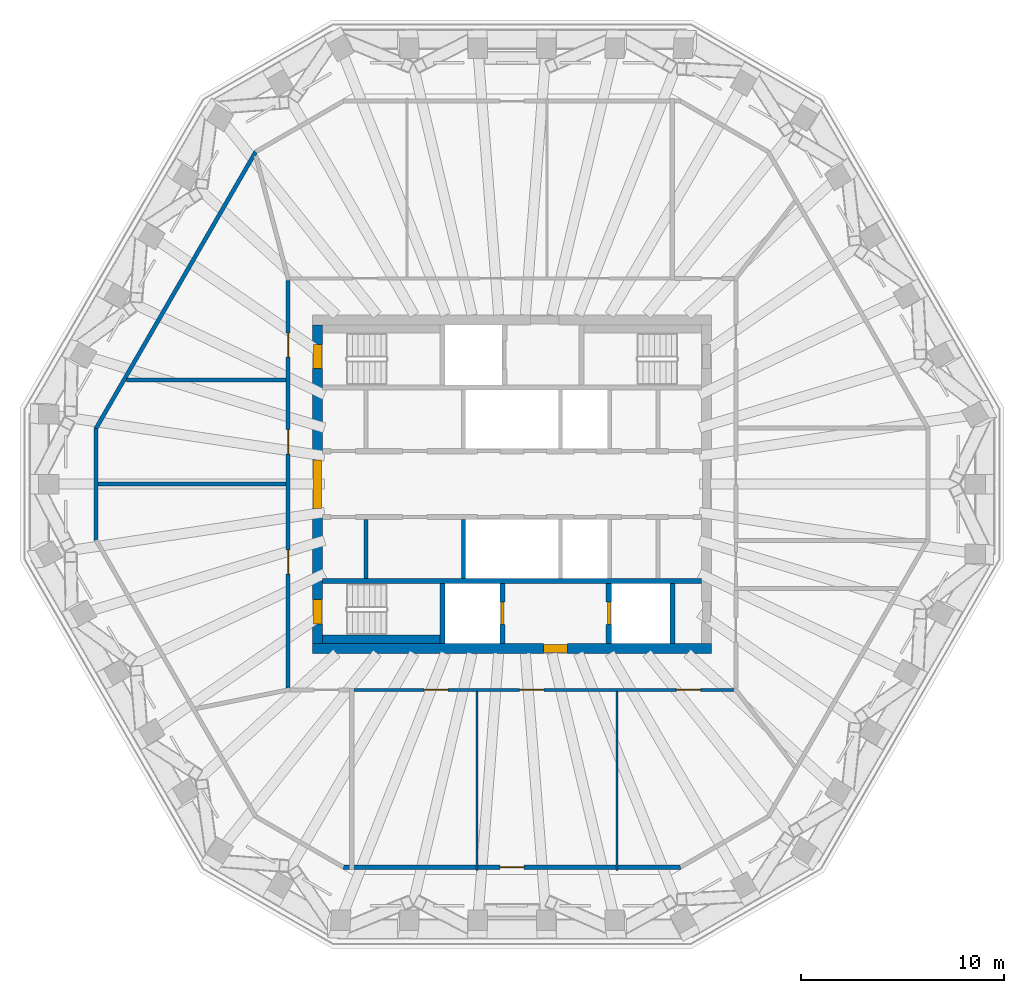
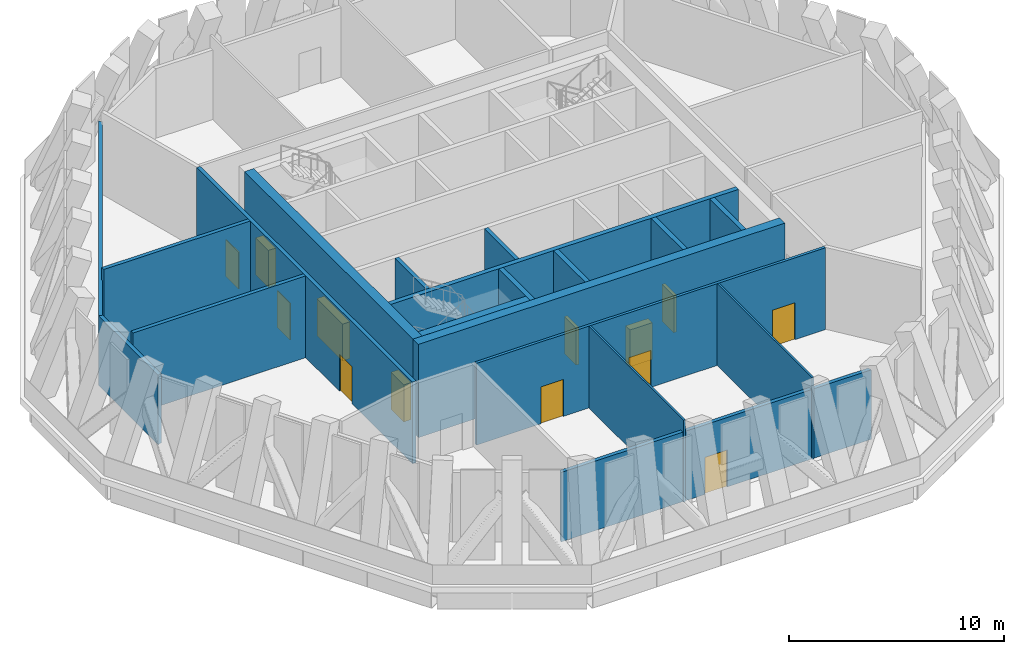
# One storey, part 4 of 9: 19 walls, 13 doors, 13 openings.
"""IFC4 building model written with IfcOpenShell, lengths in metres."""

from ifc_helpers import new_model, si_unit, direction, frame, frame_2d, origin, place, context, subcontext, project, spatial, polyline, rectangle, outline, extrude, material, layer, layer_set, type_object, element, fill, save


model = new_model("IFC4")

# Units and contexts
model_context = context("Model", 3, precision=1e-05, world=origin(), true_north=direction((0.0, 1.0)))
body_context = subcontext(model_context, "Body", "Model", "MODEL_VIEW")
ifc_project = project(units=[si_unit("LENGTHUNIT", "METRE"), si_unit("AREAUNIT", "SQUARE_METRE"), si_unit("VOLUMEUNIT", "CUBIC_METRE"), si_unit("PLANEANGLEUNIT", "RADIAN"), si_unit("MASSUNIT", "GRAM", prefix="KILO")], contexts=[model_context])

# Site, building, storey
site_placement = place(None, origin())
site = spatial("IfcSite", under=ifc_project, at=site_placement, CompositionType="ELEMENT")
building_placement = place(site_placement, origin())
building = spatial("IfcBuilding", under=site, at=building_placement, Name="Frailejon Research Tower", CompositionType="ELEMENT")
storey_placement = place(building_placement, frame((0.0, 0.0, 303.0)))
storey = spatial("IfcBuildingStorey", under=building, at=storey_placement, Name="L67", CompositionType="ELEMENT", Elevation=303.0)

# Wall, opening, door
ifc_material_1 = material(Name="Concrete C50/60", Category="concrete")
ifc_layer_1 = layer(ifc_material_1, 0.5)
ifc_layer_set_1 = layer_set([ifc_layer_1], Name="Core shear wall 500 C50/60")
wall_type_1 = type_object("IfcWallType", Name="Core shear wall 500 C50/60", PredefinedType="SHEAR", material=ifc_layer_set_1)
wall_1_placement = place(storey_placement, frame((-9.85009765625, -8.10009765625, 0.0), z_axis=(0.0, 0.0, 1.0), x_axis=(1.0, 0.0, 0.0)))
wall_1 = element("IfcWall", 1, at=wall_1_placement, inside=storey, type_object=wall_type_1, Name="Core shear wall", PredefinedType="SHEAR", context=body_context, shape_type="SweptSolid", body=[
    extrude(rectangle(XDim=19.7001953125, YDim=0.5, at=frame_2d((9.85009765625, 0.0))), origin(), (0.0, 0.0, 1.0), 5.300048828125),
])
opening_1_placement = place(wall_1_placement, frame((11.39990234375, 0.0, 0.0)))
opening_1 = element("IfcOpeningElement", 2, at=opening_1_placement, cuts=wall_1, Name="Opening D3", PredefinedType="OPENING", context=body_context, shape_type="SweptSolid", body=[
    extrude(rectangle(XDim=1.199951171875, YDim=2.10009765625, at=frame_2d((0.60009765625, 1.050048828125))), frame((0.0, 0.260009765625, 0.0), z_axis=(0.0, -1.0, 0.0), x_axis=(1.0, 0.0, 0.0)), (0.0, 0.0, 1.0), 0.52001953125),
])
ifc_material_2 = material(Name="Steel", Category="steel")
door_type_1 = type_object("IfcDoorType", Name="Firefighting lobby door", OperationType="SINGLE_SWING_LEFT", PredefinedType="DOOR", material=ifc_material_2)
door_1_placement = place(opening_1_placement, origin())
door_1 = element("IfcDoor", 3, at=door_1_placement, inside=storey, type_object=door_type_1, Name="Firefighting lobby door", OperationType="SINGLE_SWING_RIGHT", OverallHeight=2.10009765625, OverallWidth=1.199951171875, PredefinedType="DOOR", context=body_context, shape_type="SweptSolid", body=[
    extrude(rectangle(XDim=1.199951171875, YDim=2.10009765625, at=frame_2d((0.60009765625, 1.050048828125))), frame((0.0, 0.199951171875, 0.0), z_axis=(0.0, -1.0, 0.0), x_axis=(1.0, 0.0, 0.0)), (0.0, 0.0, 1.0), 0.39990234375),
])
fill(opening_1, door_1)

# Wall, openings, doors
wall_2_placement = place(storey_placement, frame((-9.60009765625, -7.85009765625, 0.0), z_axis=(0.0, 0.0, 1.0), x_axis=(0.0, 1.0, 0.0)))
wall_2 = element("IfcWall", 4, at=wall_2_placement, inside=storey, type_object=wall_type_1, Name="Core shear wall", PredefinedType="SHEAR", context=body_context, shape_type="SweptSolid", body=[
    extrude(rectangle(XDim=15.7001953125, YDim=0.5, at=frame_2d((7.85009765625, 0.0))), origin(), (0.0, 0.0, 1.0), 5.300048828125),
])
opening_2_placement = place(wall_2_placement, frame((6.64990234375, 0.0, 0.0)))
opening_2 = element("IfcOpeningElement", 5, at=opening_2_placement, cuts=wall_2, Name="Opening D2", PredefinedType="OPENING", context=body_context, shape_type="SweptSolid", body=[
    extrude(rectangle(XDim=2.39990234375, YDim=2.10009765625, at=frame_2d((1.199951171875, 1.050048828125))), frame((0.0, 0.260009765625, 0.0), z_axis=(0.0, -1.0, 0.0), x_axis=(1.0, 0.0, 0.0)), (0.0, 0.0, 1.0), 0.52001953125),
])
opening_3_placement = place(wall_2_placement, frame((13.550048828125, 0.0, 0.0)))
opening_3 = element("IfcOpeningElement", 6, at=opening_3_placement, cuts=wall_2, Name="Opening D1", PredefinedType="OPENING", context=body_context, shape_type="SweptSolid", body=[
    extrude(rectangle(XDim=1.199951171875, YDim=2.10009765625, at=frame_2d((0.60009765625, 1.050048828125))), frame((0.0, 0.260009765625, 0.0), z_axis=(0.0, -1.0, 0.0), x_axis=(1.0, 0.0, 0.0)), (0.0, 0.0, 1.0), 0.52001953125),
])
opening_4_placement = place(wall_2_placement, frame((0.949951171875, 0.0, 0.0)))
opening_4 = element("IfcOpeningElement", 7, at=opening_4_placement, cuts=wall_2, Name="Opening D1", PredefinedType="OPENING", context=body_context, shape_type="SweptSolid", body=[
    extrude(rectangle(XDim=1.199951171875, YDim=2.10009765625, at=frame_2d((0.60009765625, 1.050048828125))), frame((0.0, 0.260009765625, 0.0), z_axis=(0.0, -1.0, 0.0), x_axis=(1.0, 0.0, 0.0)), (0.0, 0.0, 1.0), 0.52001953125),
])
ifc_material_3 = material(Name="Steel", Category="steel")
door_type_2 = type_object("IfcDoorType", Name="Lobby double door", OperationType="DOUBLE_DOOR_SINGLE_SWING", PredefinedType="DOOR", material=ifc_material_3)
door_2_placement = place(opening_2_placement, origin())
door_2 = element("IfcDoor", 8, at=door_2_placement, inside=storey, type_object=door_type_2, Name="Lobby door", OperationType="DOUBLE_DOOR_SINGLE_SWING", OverallHeight=2.10009765625, OverallWidth=2.39990234375, PredefinedType="DOOR", context=body_context, shape_type="SweptSolid", body=[
    extrude(rectangle(XDim=2.39990234375, YDim=2.10009765625, at=frame_2d((1.199951171875, 1.050048828125))), frame((0.0, 0.199951171875, 0.0), z_axis=(0.0, -1.0, 0.0), x_axis=(1.0, 0.0, 0.0)), (0.0, 0.0, 1.0), 0.39990234375),
])
fill(opening_2, door_2)
ifc_material_4 = material(Name="Steel", Category="steel")
door_type_3 = type_object("IfcDoorType", Name="Stair door", OperationType="SINGLE_SWING_LEFT", PredefinedType="DOOR", material=ifc_material_4)
door_3_placement = place(opening_3_placement, origin())
door_3 = element("IfcDoor", 9, at=door_3_placement, inside=storey, type_object=door_type_3, Name="Stair door ST1", OperationType="SINGLE_SWING_LEFT", OverallHeight=2.10009765625, OverallWidth=1.199951171875, PredefinedType="DOOR", context=body_context, shape_type="SweptSolid", body=[
    extrude(rectangle(XDim=1.199951171875, YDim=2.10009765625, at=frame_2d((0.60009765625, 1.050048828125))), frame((0.0, 0.199951171875, 0.0), z_axis=(0.0, -1.0, 0.0), x_axis=(1.0, 0.0, 0.0)), (0.0, 0.0, 1.0), 0.39990234375),
])
fill(opening_3, door_3)
door_4_placement = place(opening_4_placement, origin())
door_4 = element("IfcDoor", 10, at=door_4_placement, inside=storey, type_object=door_type_3, Name="Stair door ST2", OperationType="SINGLE_SWING_RIGHT", OverallHeight=2.10009765625, OverallWidth=1.199951171875, PredefinedType="DOOR", context=body_context, shape_type="SweptSolid", body=[
    extrude(rectangle(XDim=1.199951171875, YDim=2.10009765625, at=frame_2d((0.60009765625, 1.050048828125))), frame((0.0, 0.199951171875, 0.0), z_axis=(0.0, -1.0, 0.0), x_axis=(1.0, 0.0, 0.0)), (0.0, 0.0, 1.0), 0.39990234375),
])
fill(opening_4, door_4)

ifc_material_5 = material(Name="Gypsum board and masonry partition", Category="masonry")
ifc_layer_2 = layer(ifc_material_5, 0.14990234375)
ifc_layer_set_2 = layer_set([ifc_layer_2], Name="Corridor wall EI 60, gypsum on steel studs 150")
wall_type_2 = type_object("IfcWallType", Name="Corridor wall EI 60, gypsum on steel studs 150", PredefinedType="PARTITIONING", material=ifc_layer_set_2)
wall_3_placement = place(storey_placement, frame((-7.8056640625, -10.14990234375, 0.0), z_axis=(0.0, 0.0, 1.0), x_axis=(1.0, 0.0, 0.0)))
wall_3 = element("IfcWall", 11, at=wall_3_placement, inside=storey, type_object=wall_type_2, Name="T:IW:L67:002", PredefinedType="PARTITIONING", context=body_context, shape_type="SweptSolid", body=[
    extrude(rectangle(XDim=18.755615234375, YDim=0.14990234375, at=frame_2d((9.3779296875, 0.0))), origin(), (0.0, 0.0, 1.0), 4.64990234375),
])
opening_5_placement = place(wall_3_placement, frame((3.4599609375, 0.0, 0.0)))
opening_5 = element("IfcOpeningElement", 12, at=opening_5_placement, cuts=wall_3, Name="Opening D1156", PredefinedType="OPENING", context=body_context, shape_type="SweptSolid", body=[
    extrude(rectangle(XDim=1.199951171875, YDim=2.10009765625, at=frame_2d((0.60009765625, 1.050048828125))), frame((0.0, 0.0849609375, 0.0), z_axis=(0.0, -1.0, 0.0), x_axis=(1.0, 0.0, 0.0)), (0.0, 0.0, 1.0), 0.169921875),
])
opening_6_placement = place(wall_3_placement, frame((8.180908203125, 0.0, 0.0)))
opening_6 = element("IfcOpeningElement", 13, at=opening_6_placement, cuts=wall_3, Name="Opening D1157", PredefinedType="OPENING", context=body_context, shape_type="SweptSolid", body=[
    extrude(rectangle(XDim=1.199951171875, YDim=2.10009765625, at=frame_2d((0.60009765625, 1.050048828125))), frame((0.0, 0.0849609375, 0.0), z_axis=(0.0, -1.0, 0.0), x_axis=(1.0, 0.0, 0.0)), (0.0, 0.0, 1.0), 0.169921875),
])
opening_7_placement = place(wall_3_placement, frame((15.915283203125, 0.0, 0.0)))
opening_7 = element("IfcOpeningElement", 14, at=opening_7_placement, cuts=wall_3, Name="Opening D1158", PredefinedType="OPENING", context=body_context, shape_type="SweptSolid", body=[
    extrude(rectangle(XDim=1.199951171875, YDim=2.10009765625, at=frame_2d((0.60009765625, 1.050048828125))), frame((0.0, 0.0849609375, 0.0), z_axis=(0.0, -1.0, 0.0), x_axis=(1.0, 0.0, 0.0)), (0.0, 0.0, 1.0), 0.169921875),
])
ifc_material_6 = material(Name="Timber door leaf", Category="wood")
door_type_4 = type_object("IfcDoorType", Name="Door single leaf, timber, steel frame 1200", OperationType="NOTDEFINED", PredefinedType="DOOR", material=ifc_material_6)
door_5_placement = place(opening_5_placement, origin())
door_5 = element("IfcDoor", 15, at=door_5_placement, inside=storey, type_object=door_type_4, Name="D1156", OperationType="DOUBLE_DOOR_SINGLE_SWING", OverallHeight=2.10009765625, OverallWidth=1.199951171875, PredefinedType="DOOR", context=body_context, shape_type="SweptSolid", body=[
    extrude(rectangle(XDim=1.199951171875, YDim=2.10009765625, at=frame_2d((0.60009765625, 1.050048828125))), frame((0.0, 0.02490234375, 0.0), z_axis=(0.0, -1.0, 0.0), x_axis=(1.0, 0.0, 0.0)), (0.0, 0.0, 1.0), 0.050048828125),
])
fill(opening_5, door_5)
door_6_placement = place(opening_6_placement, origin())
door_6 = element("IfcDoor", 16, at=door_6_placement, inside=storey, type_object=door_type_4, Name="D1157", OperationType="DOUBLE_DOOR_SINGLE_SWING", OverallHeight=2.10009765625, OverallWidth=1.199951171875, PredefinedType="DOOR", context=body_context, shape_type="SweptSolid", body=[
    extrude(rectangle(XDim=1.199951171875, YDim=2.10009765625, at=frame_2d((0.60009765625, 1.050048828125))), frame((0.0, 0.02490234375, 0.0), z_axis=(0.0, -1.0, 0.0), x_axis=(1.0, 0.0, 0.0)), (0.0, 0.0, 1.0), 0.050048828125),
])
fill(opening_6, door_6)
door_7_placement = place(opening_7_placement, origin())
door_7 = element("IfcDoor", 17, at=door_7_placement, inside=storey, type_object=door_type_4, Name="D1158", OperationType="DOUBLE_DOOR_SINGLE_SWING", OverallHeight=2.10009765625, OverallWidth=1.199951171875, PredefinedType="DOOR", context=body_context, shape_type="SweptSolid", body=[
    extrude(rectangle(XDim=1.199951171875, YDim=2.10009765625, at=frame_2d((0.60009765625, 1.050048828125))), frame((0.0, 0.02490234375, 0.0), z_axis=(0.0, -1.0, 0.0), x_axis=(1.0, 0.0, 0.0)), (0.0, 0.0, 1.0), 0.050048828125),
])
fill(opening_7, door_7)

# Walls
ifc_material_7 = material(Name="Aluminium louvre panel wall", Category="aluminium")
ifc_layer_3 = layer(ifc_material_7, 0.199951171875)
ifc_layer_set_3 = layer_set([ifc_layer_3], Name="Louvred plant wall 200")
wall_type_3 = type_object("IfcWallType", Name="Louvred plant wall 200", PredefinedType="SOLIDWALL", material=ifc_layer_set_3)
wall_4_placement = place(storey_placement, frame((-12.64501953125, 16.398193359375, 0.0), z_axis=(0.0, 0.0, 1.0), x_axis=(-0.499993368965, -0.86602923218, 0.0)))
element("IfcWall", 18, at=wall_4_placement, inside=storey, type_object=wall_type_3, Name="Plant louvre wall L67", PredefinedType="SOLIDWALL", context=body_context, shape_type="SweptSolid", body=[
    extrude(outline(polyline([(-0.02685546875, -0.10009765625), (15.784423828125, -0.10009765625), (15.730712890625, 0.10009765625), (0.02685546875, 0.10009765625), (-0.02685546875, -0.10009765625)])), origin(), (0.0, 0.0, 1.0), 3.949951171875),
])
wall_5_placement = place(storey_placement, frame((-20.523681640625, 2.751708984375, 0.0), z_axis=(0.0, 0.0, 1.0), x_axis=(0.0, -1.0, 0.0)))
element("IfcWall", 19, at=wall_5_placement, inside=storey, type_object=wall_type_3, Name="Plant louvre wall L67", PredefinedType="SOLIDWALL", context=body_context, shape_type="SweptSolid", body=[
    extrude(outline(polyline([(-0.02685546875, -0.10009765625), (5.5302734375, -0.10009765625), (5.4765625, 0.10009765625), (0.02685546875, 0.10009765625), (-0.02685546875, -0.10009765625)])), origin(), (0.0, 0.0, 1.0), 3.949951171875),
])

# Wall, opening, door
wall_6_placement = place(storey_placement, frame((-8.31201171875, -18.89990234375, 0.0), z_axis=(0.0, 0.0, 1.0), x_axis=(1.0, 0.0, 0.0)))
wall_6 = element("IfcWall", 20, at=wall_6_placement, inside=storey, type_object=wall_type_3, Name="Plant louvre wall L67", PredefinedType="SOLIDWALL", context=body_context, shape_type="SweptSolid", body=[
    extrude(outline(polyline([(-0.02685546875, -0.10009765625), (16.65087890625, -0.10009765625), (16.59716796875, 0.10009765625), (0.02685546875, 0.10009765625), (-0.02685546875, -0.10009765625)])), origin(), (0.0, 0.0, 1.0), 3.949951171875),
])
opening_8_placement = place(wall_6_placement, frame((7.7119140625, 0.0, 0.0)))
opening_8 = element("IfcOpeningElement", 21, at=opening_8_placement, cuts=wall_6, Name="Opening PG67-2", PredefinedType="OPENING", context=body_context, shape_type="SweptSolid", body=[
    extrude(rectangle(XDim=1.199951171875, YDim=2.10009765625, at=frame_2d((0.60009765625, 1.050048828125))), frame((0.0, 0.10986328125, 0.0), z_axis=(0.0, -1.0, 0.0), x_axis=(1.0, 0.0, 0.0)), (0.0, 0.0, 1.0), 0.219970703125),
])
ifc_material_8 = material(Name="Steel door leaf", Category="steel")
door_type_5 = type_object("IfcDoorType", Name="Plant gallery door 1200x2100", OperationType="SINGLE_SWING_RIGHT", PredefinedType="DOOR", material=ifc_material_8)
door_8_placement = place(opening_8_placement, origin())
door_8 = element("IfcDoor", 22, at=door_8_placement, inside=storey, type_object=door_type_5, Name="Door PG67-2", OperationType="SINGLE_SWING_RIGHT", OverallHeight=2.10009765625, OverallWidth=1.199951171875, PredefinedType="DOOR", context=body_context, shape_type="SweptSolid", body=[
    extrude(rectangle(XDim=1.199951171875, YDim=2.10009765625, at=frame_2d((0.60009765625, 1.050048828125))), frame((0.0, 0.02490234375, 0.0), z_axis=(0.0, -1.0, 0.0), x_axis=(1.0, 0.0, 0.0)), (0.0, 0.0, 1.0), 0.050048828125),
])
fill(opening_8, door_8)

# Walls
ifc_material_9 = material(Name="Gypsum board and masonry partition", Category="masonry")
ifc_layer_4 = layer(ifc_material_9, 0.10009765625)
ifc_layer_set_4 = layer_set([ifc_layer_4], Name="Partition, gypsum on steel studs 100")
wall_type_4 = type_object("IfcWallType", Name="Partition, gypsum on steel studs 100", PredefinedType="PARTITIONING", material=ifc_layer_set_4)
for number, where, z_axis, x_axis, name in (
    (23, (-1.725830078125, -19.050048828125, 0.0), (0.0, 0.0, 1.0), (0.0, 1.0, 0.0), "T:IW:L67:006"),
    (24, (5.177490234375, -19.050048828125, 0.0), (0.0, 0.0, 1.0), (0.0, 1.0, 0.0), "T:IW:L67:007"),
):
    element("IfcWall", number, at=place(storey_placement, frame(where, z_axis=z_axis, x_axis=x_axis)), inside=storey, type_object=wall_type_4, Name=name, PredefinedType="PARTITIONING", context=body_context, shape_type="SweptSolid", body=[
        extrude(rectangle(XDim=8.824951171875, YDim=0.10009765625, at=frame_2d((4.41259765625, 0.0))), origin(), (0.0, 0.0, 1.0), 4.64990234375),
    ])

# Wall, openings, doors
ifc_material_10 = material(Name="Gypsum board and masonry partition", Category="masonry")
ifc_layer_5 = layer(ifc_material_10, 0.199951171875)
ifc_layer_set_5 = layer_set([ifc_layer_5], Name="Plant enclosure wall, blockwork 200")
wall_type_5 = type_object("IfcWallType", Name="Plant enclosure wall, blockwork 200", PredefinedType="PARTITIONING", material=ifc_layer_set_5)
wall_7_placement = place(storey_placement, frame((-11.050048828125, -10.050048828125, 0.0), z_axis=(0.0, 0.0, 1.0), x_axis=(0.0, 1.0, 0.0)))
wall_7 = element("IfcWall", 25, at=wall_7_placement, inside=storey, type_object=wall_type_5, Name="T:IW:L67:011", PredefinedType="PARTITIONING", context=body_context, shape_type="SweptSolid", body=[
    extrude(rectangle(XDim=20.10009765625, YDim=0.199951171875, at=frame_2d((10.050048828125, 0.0))), origin(), (0.0, 0.0, 1.0), 4.64990234375),
])
opening_9_placement = place(wall_7_placement, frame((16.318359375, 0.0, 0.0)))
opening_9 = element("IfcOpeningElement", 26, at=opening_9_placement, cuts=wall_7, Name="Opening D1152", PredefinedType="OPENING", context=body_context, shape_type="SweptSolid", body=[
    extrude(rectangle(XDim=1.199951171875, YDim=2.10009765625, at=frame_2d((0.60009765625, 1.050048828125))), frame((0.0, 0.10986328125, 0.0), z_axis=(0.0, -1.0, 0.0), x_axis=(1.0, 0.0, 0.0)), (0.0, 0.0, 1.0), 0.219970703125),
])
opening_10_placement = place(wall_7_placement, frame((11.534423828125, 0.0, 0.0)))
opening_10 = element("IfcOpeningElement", 27, at=opening_10_placement, cuts=wall_7, Name="Opening D1153", PredefinedType="OPENING", context=body_context, shape_type="SweptSolid", body=[
    extrude(rectangle(XDim=1.199951171875, YDim=2.10009765625, at=frame_2d((0.60009765625, 1.050048828125))), frame((0.0, 0.10986328125, 0.0), z_axis=(0.0, -1.0, 0.0), x_axis=(1.0, 0.0, 0.0)), (0.0, 0.0, 1.0), 0.219970703125),
])
opening_11_placement = place(wall_7_placement, frame((5.612548828125, 0.0, 0.0)))
opening_11 = element("IfcOpeningElement", 28, at=opening_11_placement, cuts=wall_7, Name="Opening D1154", PredefinedType="OPENING", context=body_context, shape_type="SweptSolid", body=[
    extrude(rectangle(XDim=1.199951171875, YDim=2.10009765625, at=frame_2d((0.60009765625, 1.050048828125))), frame((0.0, 0.10986328125, 0.0), z_axis=(0.0, -1.0, 0.0), x_axis=(1.0, 0.0, 0.0)), (0.0, 0.0, 1.0), 0.219970703125),
])
ifc_material_11 = material(Name="Steel door leaf", Category="steel")
door_type_6 = type_object("IfcDoorType", Name="Door plant room, steel 1200", OperationType="NOTDEFINED", PredefinedType="DOOR", material=ifc_material_11)
door_9_placement = place(opening_9_placement, origin())
door_9 = element("IfcDoor", 29, at=door_9_placement, inside=storey, type_object=door_type_6, Name="D1152", OperationType="DOUBLE_DOOR_SINGLE_SWING", OverallHeight=2.10009765625, OverallWidth=1.199951171875, PredefinedType="DOOR", context=body_context, shape_type="SweptSolid", body=[
    extrude(rectangle(XDim=1.199951171875, YDim=2.10009765625, at=frame_2d((0.60009765625, 1.050048828125))), frame((0.0, 0.02490234375, 0.0), z_axis=(0.0, -1.0, 0.0), x_axis=(1.0, 0.0, 0.0)), (0.0, 0.0, 1.0), 0.050048828125),
])
fill(opening_9, door_9)
door_10_placement = place(opening_10_placement, origin())
door_10 = element("IfcDoor", 30, at=door_10_placement, inside=storey, type_object=door_type_6, Name="D1153", OperationType="DOUBLE_DOOR_SINGLE_SWING", OverallHeight=2.10009765625, OverallWidth=1.199951171875, PredefinedType="DOOR", context=body_context, shape_type="SweptSolid", body=[
    extrude(rectangle(XDim=1.199951171875, YDim=2.10009765625, at=frame_2d((0.60009765625, 1.050048828125))), frame((0.0, 0.02490234375, 0.0), z_axis=(0.0, -1.0, 0.0), x_axis=(1.0, 0.0, 0.0)), (0.0, 0.0, 1.0), 0.050048828125),
])
fill(opening_10, door_10)
door_11_placement = place(opening_11_placement, origin())
door_11 = element("IfcDoor", 31, at=door_11_placement, inside=storey, type_object=door_type_6, Name="D1154", OperationType="DOUBLE_DOOR_SINGLE_SWING", OverallHeight=2.10009765625, OverallWidth=1.199951171875, PredefinedType="DOOR", context=body_context, shape_type="SweptSolid", body=[
    extrude(rectangle(XDim=1.199951171875, YDim=2.10009765625, at=frame_2d((0.60009765625, 1.050048828125))), frame((0.0, 0.02490234375, 0.0), z_axis=(0.0, -1.0, 0.0), x_axis=(1.0, 0.0, 0.0)), (0.0, 0.0, 1.0), 0.050048828125),
])
fill(opening_11, door_11)

# Walls
wall_8_placement = place(storey_placement, frame((-19.02880859375, 5.14111328125, 0.0), z_axis=(0.0, 0.0, 1.0), x_axis=(1.0, 0.0, 0.0)))
element("IfcWall", 32, at=wall_8_placement, inside=storey, type_object=wall_type_5, Name="T:IW:L67:017", PredefinedType="PARTITIONING", context=body_context, shape_type="SweptSolid", body=[
    extrude(rectangle(XDim=7.87890625, YDim=0.199951171875, at=frame_2d((3.939453125, 0.0))), origin(), (0.0, 0.0, 1.0), 4.64990234375),
])
wall_9_placement = place(storey_placement, frame((-20.423828125, 0.0, 0.0), z_axis=(0.0, 0.0, 1.0), x_axis=(1.0, 0.0, 0.0)))
element("IfcWall", 33, at=wall_9_placement, inside=storey, type_object=wall_type_5, Name="T:IW:L67:018", PredefinedType="PARTITIONING", context=body_context, shape_type="SweptSolid", body=[
    extrude(rectangle(XDim=9.27392578125, YDim=0.199951171875, at=frame_2d((4.636962890625, 0.0))), origin(), (0.0, 0.0, 1.0), 4.64990234375),
])
ifc_material_12 = material(Name="Concrete C50/60", Category="concrete")
ifc_layer_6 = layer(ifc_material_12, 0.199951171875)
ifc_layer_set_6 = layer_set([ifc_layer_6], Name="Shaft wall 200 C50/60")
wall_type_6 = type_object("IfcWallType", Name="Shaft wall 200 C50/60", PredefinedType="SOLIDWALL", material=ifc_layer_set_6)
for number, where, z_axis, x_axis, name in (
    (34, (-7.199951171875, -4.64990234375, 0.0), (0.0, 0.0, 1.0), (0.0, 1.0, 0.0), "Shaft wall"),
    (35, (-2.39990234375, -4.64990234375, 0.0), (0.0, 0.0, 1.0), (0.0, 1.0, 0.0), "Shaft wall"),
):
    element("IfcWall", number, at=place(storey_placement, frame(where, z_axis=z_axis, x_axis=x_axis)), inside=storey, type_object=wall_type_6, Name=name, PredefinedType="SOLIDWALL", context=body_context, shape_type="SweptSolid", body=[
        extrude(rectangle(XDim=2.89990234375, YDim=0.199951171875, at=frame_2d((1.449951171875, 0.0))), origin(), (0.0, 0.0, 1.0), 5.300048828125),
    ])
ifc_material_13 = material(Name="Concrete C50/60", Category="concrete")
ifc_layer_7 = layer(ifc_material_13, 0.25)
ifc_layer_set_7 = layer_set([ifc_layer_7], Name="Shaft wall 250 C50/60")
wall_type_7 = type_object("IfcWallType", Name="Shaft wall 250 C50/60", PredefinedType="SOLIDWALL", material=ifc_layer_set_7)
wall_10_placement = place(storey_placement, frame((-9.35009765625, -4.77490234375, 0.0), z_axis=(0.0, 0.0, 1.0), x_axis=(1.0, 0.0, 0.0)))
element("IfcWall", 36, at=wall_10_placement, inside=storey, type_object=wall_type_7, Name="Shaft wall", PredefinedType="SOLIDWALL", context=body_context, shape_type="SweptSolid", body=[
    extrude(rectangle(XDim=18.7001953125, YDim=0.25, at=frame_2d((9.35009765625, 0.0))), origin(), (0.0, 0.0, 1.0), 5.300048828125),
])
wall_11_placement = place(storey_placement, frame((-3.425048828125, -7.85009765625, 0.0), z_axis=(0.0, 0.0, 1.0), x_axis=(0.0, 1.0, 0.0)))
element("IfcWall", 37, at=wall_11_placement, inside=storey, type_object=wall_type_7, Name="Shaft wall", PredefinedType="SOLIDWALL", context=body_context, shape_type="SweptSolid", body=[
    extrude(rectangle(XDim=2.9501953125, YDim=0.25, at=frame_2d((1.47509765625, 0.0))), origin(), (0.0, 0.0, 1.0), 5.300048828125),
])

# Wall, opening, door
wall_12_placement = place(storey_placement, frame((-0.47509765625, -7.85009765625, 0.0), z_axis=(0.0, 0.0, 1.0), x_axis=(0.0, 1.0, 0.0)))
wall_12 = element("IfcWall", 38, at=wall_12_placement, inside=storey, type_object=wall_type_7, Name="Shaft wall", PredefinedType="SOLIDWALL", context=body_context, shape_type="SweptSolid", body=[
    extrude(rectangle(XDim=2.9501953125, YDim=0.25, at=frame_2d((1.47509765625, 0.0))), origin(), (0.0, 0.0, 1.0), 5.300048828125),
])
opening_12_placement = place(wall_12_placement, frame((0.925048828125, 0.0, 0.0)))
opening_12 = element("IfcOpeningElement", 39, at=opening_12_placement, cuts=wall_12, Name="Opening LD", PredefinedType="OPENING", context=body_context, shape_type="SweptSolid", body=[
    extrude(rectangle(XDim=1.10009765625, YDim=2.10009765625, at=frame_2d((0.550048828125, 1.050048828125))), frame((0.0, 0.135009765625, 0.0), z_axis=(0.0, -1.0, 0.0), x_axis=(1.0, 0.0, 0.0)), (0.0, 0.0, 1.0), 0.27001953125),
])
ifc_material_14 = material(Name="Steel", Category="steel")
door_type_7 = type_object("IfcDoorType", Name="Lift landing door", OperationType="DOUBLE_DOOR_SLIDING", PredefinedType="DOOR", material=ifc_material_14)
door_12_placement = place(opening_12_placement, origin())
door_12 = element("IfcDoor", 40, at=door_12_placement, inside=storey, type_object=door_type_7, Name="Lift landing door", OperationType="DOUBLE_DOOR_SLIDING", OverallHeight=2.10009765625, OverallWidth=1.10009765625, PredefinedType="DOOR", context=body_context, shape_type="SweptSolid", body=[
    extrude(rectangle(XDim=1.10009765625, YDim=2.10009765625, at=frame_2d((0.550048828125, 1.050048828125))), frame((0.0, 0.074951171875, 0.0), z_axis=(0.0, -1.0, 0.0), x_axis=(1.0, 0.0, 0.0)), (0.0, 0.0, 1.0), 0.14990234375),
])
fill(opening_12, door_12)

wall_13_placement = place(storey_placement, frame((4.77490234375, -7.85009765625, 0.0), z_axis=(0.0, 0.0, 1.0), x_axis=(0.0, 1.0, 0.0)))
wall_13 = element("IfcWall", 41, at=wall_13_placement, inside=storey, type_object=wall_type_7, Name="Shaft wall", PredefinedType="SOLIDWALL", context=body_context, shape_type="SweptSolid", body=[
    extrude(rectangle(XDim=2.9501953125, YDim=0.25, at=frame_2d((1.47509765625, 0.0))), origin(), (0.0, 0.0, 1.0), 5.300048828125),
])
opening_13_placement = place(wall_13_placement, frame((0.925048828125, 0.0, 0.0)))
opening_13 = element("IfcOpeningElement", 42, at=opening_13_placement, cuts=wall_13, Name="Opening LD", PredefinedType="OPENING", context=body_context, shape_type="SweptSolid", body=[
    extrude(rectangle(XDim=1.10009765625, YDim=2.10009765625, at=frame_2d((0.550048828125, 1.050048828125))), frame((0.0, 0.135009765625, 0.0), z_axis=(0.0, -1.0, 0.0), x_axis=(1.0, 0.0, 0.0)), (0.0, 0.0, 1.0), 0.27001953125),
])
door_13_placement = place(opening_13_placement, origin())
door_13 = element("IfcDoor", 43, at=door_13_placement, inside=storey, type_object=door_type_7, Name="Lift landing door", OperationType="DOUBLE_DOOR_SLIDING", OverallHeight=2.10009765625, OverallWidth=1.10009765625, PredefinedType="DOOR", context=body_context, shape_type="SweptSolid", body=[
    extrude(rectangle(XDim=1.10009765625, YDim=2.10009765625, at=frame_2d((0.550048828125, 1.050048828125))), frame((0.0, 0.074951171875, 0.0), z_axis=(0.0, -1.0, 0.0), x_axis=(1.0, 0.0, 0.0)), (0.0, 0.0, 1.0), 0.14990234375),
])
fill(opening_13, door_13)

# Walls
wall_14_placement = place(storey_placement, frame((7.925048828125, -7.85009765625, 0.0), z_axis=(0.0, 0.0, 1.0), x_axis=(0.0, 1.0, 0.0)))
element("IfcWall", 44, at=wall_14_placement, inside=storey, type_object=wall_type_7, Name="Shaft wall", PredefinedType="SOLIDWALL", context=body_context, shape_type="SweptSolid", body=[
    extrude(rectangle(XDim=2.9501953125, YDim=0.25, at=frame_2d((1.47509765625, 0.0))), origin(), (0.0, 0.0, 1.0), 5.300048828125),
])
ifc_material_15 = material(Name="Concrete C50/60", Category="concrete")
ifc_layer_8 = layer(ifc_material_15, 0.39990234375)
ifc_layer_set_8 = layer_set([ifc_layer_8], Name="Shaft wall 400 C50/60")
wall_type_8 = type_object("IfcWallType", Name="Shaft wall 400 C50/60", PredefinedType="SOLIDWALL", material=ifc_layer_set_8)
wall_15_placement = place(storey_placement, frame((-9.35009765625, -7.64990234375, 0.0), z_axis=(0.0, 0.0, 1.0), x_axis=(1.0, 0.0, 0.0)))
element("IfcWall", 45, at=wall_15_placement, inside=storey, type_object=wall_type_8, Name="Shaft wall", PredefinedType="SOLIDWALL", context=body_context, shape_type="SweptSolid", body=[
    extrude(rectangle(XDim=5.800048828125, YDim=0.39990234375, at=frame_2d((2.89990234375, 0.0))), origin(), (0.0, 0.0, 1.0), 5.300048828125),
])

save(model, "model.ifc")
